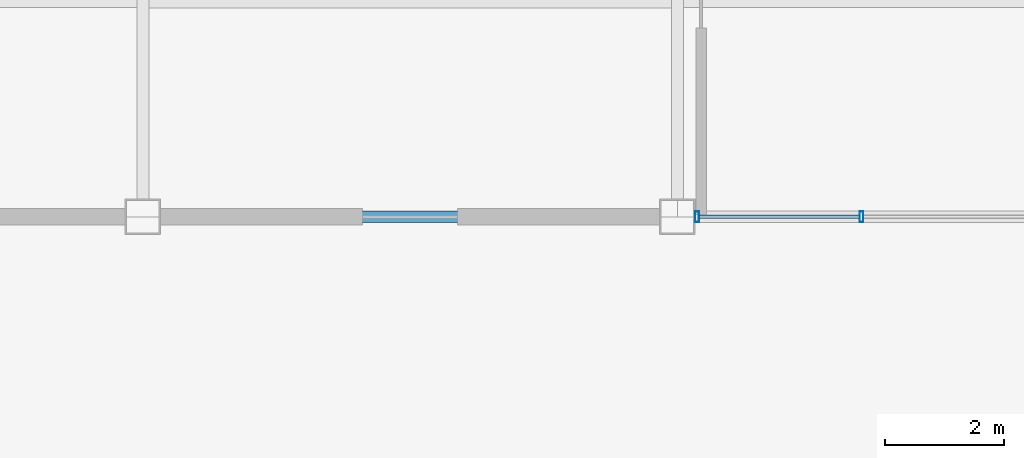
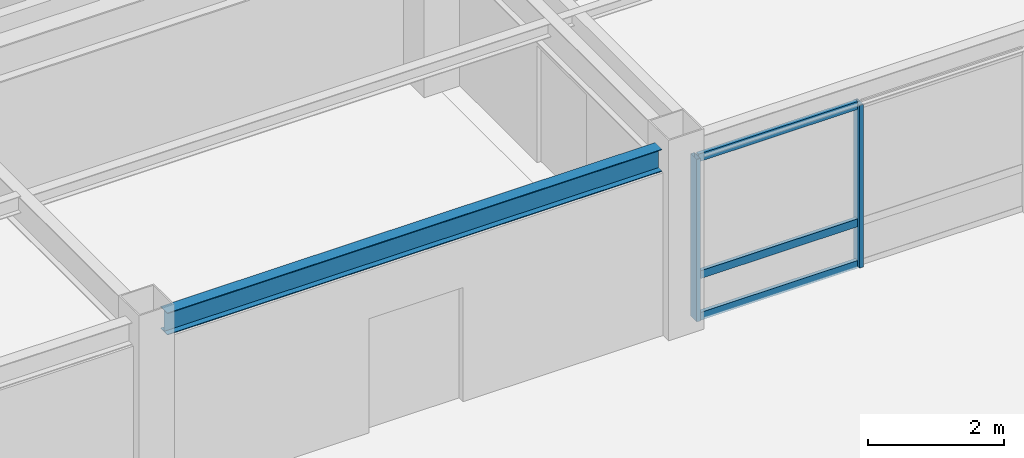
# One storey, part 27 of 43: 5 members, 1 beam, 1 element without a shape of its own.
"""IFC4 building model written with IfcOpenShell, lengths in metres."""

from ifc_helpers import new_model, si_unit, direction, frame, origin, origin_2d, place, context, subcontext, project, spatial, hollow_rectangle, i_section, extrude, material, material_profile, profile_set, type_object, element, aggregate, save


model = new_model("IFC4")

# Units and contexts
model_context = context("Model", 3, precision=1e-05, world=origin(), true_north=direction((0.0, 1.0)))
body_context = subcontext(model_context, "Body", "Model", "MODEL_VIEW")
ifc_project = project(units=[si_unit("LENGTHUNIT", "METRE"), si_unit("AREAUNIT", "SQUARE_METRE"), si_unit("VOLUMEUNIT", "CUBIC_METRE"), si_unit("PLANEANGLEUNIT", "RADIAN"), si_unit("MASSUNIT", "GRAM", prefix="KILO")], contexts=[model_context])

# Site, building, storey
site_placement = place(None, origin())
site = spatial("IfcSite", under=ifc_project, at=site_placement, CompositionType="ELEMENT")
building_placement = place(site_placement, origin())
building = spatial("IfcBuilding", under=site, at=building_placement, Name="Kazanami Central Library", CompositionType="ELEMENT")
storey_placement = place(building_placement, frame((0.0, 0.0, 20.60009765625)))
storey = spatial("IfcBuildingStorey", under=building, at=storey_placement, Name="L06", CompositionType="ELEMENT", Elevation=20.60009765625)

# Beam
ifc_material_1 = material(Name="Steel SN490B (325 MPa)", Category="steel")
ifc_material_profile_1 = material_profile(ifc_material_1, i_section(OverallWidth=0.199951171875, OverallDepth=0.39990234375, WebThickness=0.008056640625, FlangeThickness=0.012939453125, at=origin_2d()), Name="H-400x200x8x13")
ifc_profile_set_1 = profile_set([ifc_material_profile_1], Name="Steel SN490B (325 MPa)")
beam_type = type_object("IfcBeamType", Name="BM-SP-3", PredefinedType="SPANDREL", material=ifc_profile_set_1)
beam_placement = place(storey_placement, frame((126.298095703125, 57.60009765625, 3.119873046875), z_axis=(1.0, 0.0, 0.0), x_axis=(0.0, 1.0, 0.0)))
element("IfcBeam", 1, at=beam_placement, inside=storey, type_object=beam_type, Name="Girder SP-3 L06 J/15-16", PredefinedType="SPANDREL", context=body_context, shape_type="SweptSolid", body=[
    extrude(i_section(OverallWidth=0.199951171875, OverallDepth=0.39990234375, WebThickness=0.008056640625, FlangeThickness=0.012939453125, at=origin_2d()), origin(), (0.0, 0.0, 1.0), 8.40380859375),
])

# Curtain wall, members
ifc_material_2 = material(Name="Acid-Etched Low-E Laminated Glass", Category="glass")
curtain_wall_type = type_object("IfcCurtainWallType", Name="CW-8400x2920-M275", PredefinedType="USERDEFINED", material=ifc_material_2)
curtain_wall_placement = place(storey_placement, origin())
curtain_wall = element("IfcCurtainWall", 2, at=curtain_wall_placement, inside=storey, type_object=curtain_wall_type, Name="Unitised Curtain Wall CW-55 L06 S-J-15", ObjectType="UNITISED CURTAIN WALL", PredefinedType="USERDEFINED")
ifc_material_3 = material(Name="Anodised Aluminium A6063-T5", Category="aluminium")
ifc_material_profile_2 = material_profile(ifc_material_3, hollow_rectangle(XDim=0.06494140625, YDim=0.179931640625, WallThickness=0.00390625, at=origin_2d()), Name="ALU-MULL-65x180x4")
ifc_profile_set_2 = profile_set([ifc_material_profile_2], Name="Anodised Aluminium A6063-T5")
member_type_1 = type_object("IfcMemberType", Name="MEM-CW-M2", PredefinedType="MULLION", material=ifc_profile_set_2)
member_1_placement = place(storey_placement, frame((135.33251953125, 57.60009765625, 0.0), z_axis=(0.0, 0.0, 1.0), x_axis=(1.0, 0.0, 0.0)))
member_1 = element("IfcMember", 3, at=member_1_placement, type_object=member_type_1, Name="CW-55 mullion 1", PredefinedType="MULLION", context=body_context, shape_type="SweptSolid", body=[
    extrude(hollow_rectangle(XDim=0.06494140625, YDim=0.179931640625, WallThickness=0.00390625, at=origin_2d()), origin(), (0.0, 0.0, 1.0), 2.919921875),
])
member_2_placement = place(storey_placement, frame((138.10009765625, 57.60009765625, 0.0), z_axis=(0.0, 0.0, 1.0), x_axis=(1.0, 0.0, 0.0)))
member_2 = element("IfcMember", 4, at=member_2_placement, type_object=member_type_1, Name="CW-55 mullion 2", PredefinedType="MULLION", context=body_context, shape_type="SweptSolid", body=[
    extrude(hollow_rectangle(XDim=0.06494140625, YDim=0.179931640625, WallThickness=0.00390625, at=origin_2d()), origin(), (0.0, 0.0, 1.0), 2.919921875),
])
ifc_material_profile_3 = material_profile(ifc_material_3, hollow_rectangle(XDim=0.06494140625, YDim=0.139892578125, WallThickness=0.00390625, at=origin_2d()), Name="ALU-TRAN-65x140x4")
ifc_profile_set_3 = profile_set([ifc_material_profile_3], Name="Anodised Aluminium A6063-T5")
member_type_2 = type_object("IfcMemberType", Name="MEM-CW-T2", PredefinedType="USERDEFINED", material=ifc_profile_set_3)
member_3_placement = place(storey_placement, frame((135.364990234375, 57.60009765625, 0.032470703125), z_axis=(1.0, 0.0, 0.0), x_axis=(0.0, 1.0, 0.0)))
member_3 = element("IfcMember", 5, at=member_3_placement, type_object=member_type_2, Name="CW-55 transom 1.1", ObjectType="TRANSOM", PredefinedType="USERDEFINED", context=body_context, shape_type="SweptSolid", body=[
    extrude(hollow_rectangle(XDim=0.06494140625, YDim=0.139892578125, WallThickness=0.00390625, at=origin_2d()), origin(), (0.0, 0.0, 1.0), 2.702392578125),
])
member_4_placement = place(storey_placement, frame((135.364990234375, 57.60009765625, 0.77978515625), z_axis=(1.0, 0.0, 0.0), x_axis=(0.0, 1.0, 0.0)))
member_4 = element("IfcMember", 6, at=member_4_placement, type_object=member_type_2, Name="CW-55 transom 1.2", ObjectType="TRANSOM", PredefinedType="USERDEFINED", context=body_context, shape_type="SweptSolid", body=[
    extrude(hollow_rectangle(XDim=0.06494140625, YDim=0.139892578125, WallThickness=0.00390625, at=origin_2d()), origin(), (0.0, 0.0, 1.0), 2.702392578125),
])
member_5_placement = place(storey_placement, frame((135.364990234375, 57.60009765625, 2.887451171875), z_axis=(1.0, 0.0, 0.0), x_axis=(0.0, 1.0, 0.0)))
member_5 = element("IfcMember", 7, at=member_5_placement, type_object=member_type_2, Name="CW-55 transom 1.3", ObjectType="TRANSOM", PredefinedType="USERDEFINED", context=body_context, shape_type="SweptSolid", body=[
    extrude(hollow_rectangle(XDim=0.06494140625, YDim=0.139892578125, WallThickness=0.00390625, at=origin_2d()), origin(), (0.0, 0.0, 1.0), 2.702392578125),
])
aggregate(curtain_wall, [member_1, member_2, member_3, member_4, member_5])

save(model, "model.ifc")
